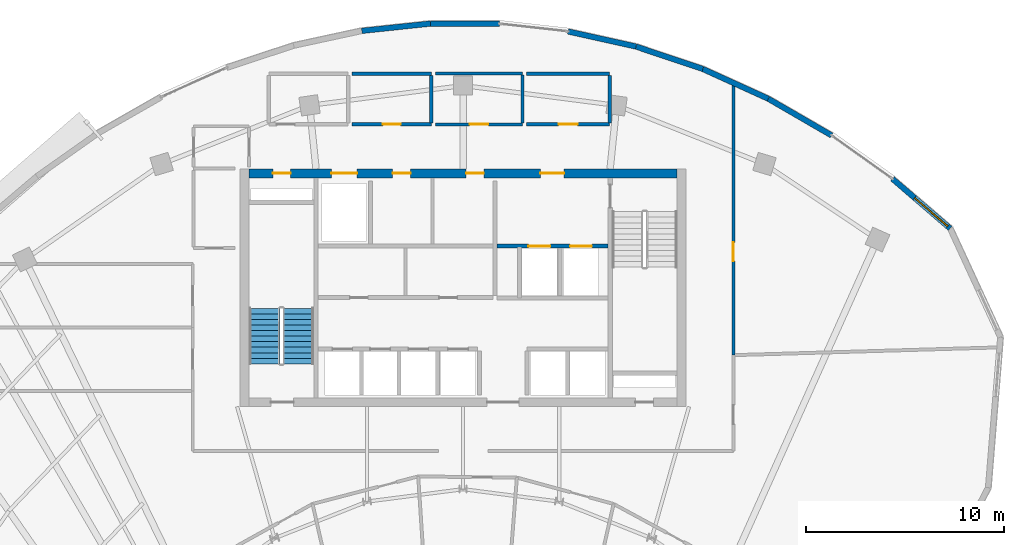
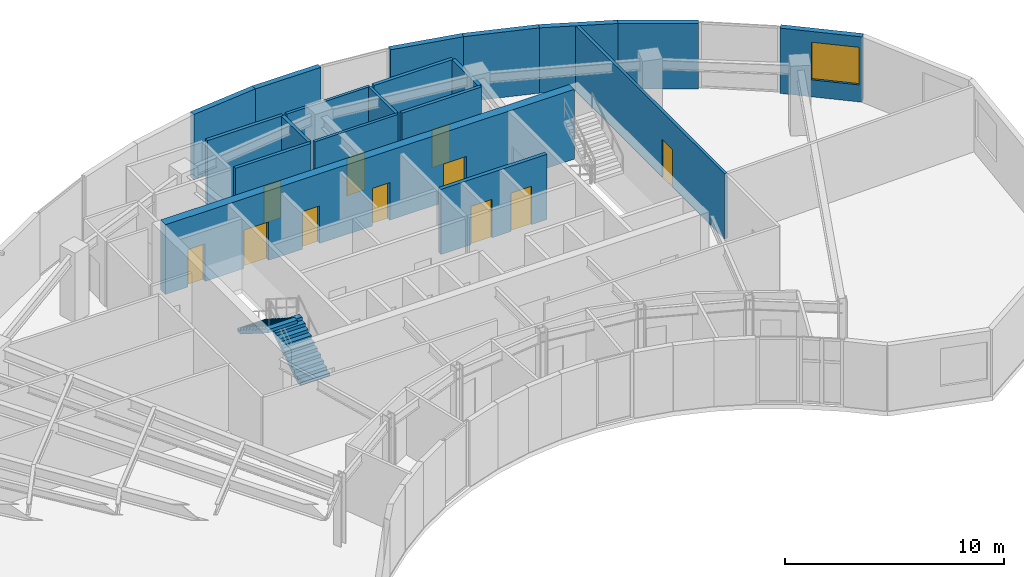
# One storey, part 10 of 12: 19 walls, 11 doors, 2 stair flights, 1 window, 12 openings, 1 element without a shape of its own.
"""IFC4 building model written with IfcOpenShell, lengths in metres."""

from ifc_helpers import new_model, si_unit, direction, frame, frame_2d, origin, place, context, subcontext, project, spatial, polyline, rectangle, outline, extrude, source, transform, mapped, material, layer, layer_set, type_object, type_shapes, element, fill, aggregate, save


model = new_model("IFC4")

# Units and contexts
model_context = context("Model", 3, precision=1e-05, world=origin(), true_north=direction((0.0, 1.0)))
body_context = subcontext(model_context, "Body", "Model", "MODEL_VIEW")
ifc_project = project(units=[si_unit("LENGTHUNIT", "METRE"), si_unit("AREAUNIT", "SQUARE_METRE"), si_unit("VOLUMEUNIT", "CUBIC_METRE"), si_unit("PLANEANGLEUNIT", "RADIAN"), si_unit("MASSUNIT", "GRAM", prefix="KILO")], contexts=[model_context])

# Site, building, storey
site_placement = place(None, origin())
site = spatial("IfcSite", under=ifc_project, at=site_placement, CompositionType="ELEMENT")
building_placement = place(site_placement, origin())
building = spatial("IfcBuilding", under=site, at=building_placement, Name="Breltana Convention Tower", CompositionType="ELEMENT")
storey_placement = place(building_placement, frame((0.0, 0.0, 235.199951171875)))
storey = spatial("IfcBuildingStorey", under=building, at=storey_placement, Name="L57", CompositionType="ELEMENT", Elevation=235.199951171875)

# Wall, openings, doors
ifc_material_1 = material(Name="Concrete C60/75", Category="concrete")
ifc_layer_1 = layer(ifc_material_1, 0.449951171875, Name="Concrete C60/75")
ifc_layer_set_1 = layer_set([ifc_layer_1], Name="Concrete C60/75")
wall_type_1 = type_object("IfcWallType", Name="SW-CORE-450", PredefinedType="SHEAR", material=ifc_layer_set_1)
shared_shape_1 = source(origin(), body_context, "Body", "SweptSolid", [
    extrude(rectangle(XDim=21.60009765625, YDim=0.449951171875, at=frame_2d((10.800048828125, 0.0))), origin(), (0.0, 0.0, 1.0), 3.900146484375),
])
wall_1_placement = place(storey_placement, frame((37.199951171875, 71.97509765625, 0.0), z_axis=(0.0, 0.0, 1.0), x_axis=(1.0, 0.0, 0.0)))
wall_1 = element("IfcWall", 1, at=wall_1_placement, inside=storey, type_object=wall_type_1, Name="L57 North Core Shear Wall", PredefinedType="SHEAR", context=body_context, shape_type="MappedRepresentation", body=[
    mapped(shared_shape_1, transform((0.0, 0.0, 0.0), scale=1.0)),
])
opening_1_placement = place(wall_1_placement, frame((1.199951171875, 0.0, 0.0)))
opening_1 = element("IfcOpeningElement", 2, at=opening_1_placement, cuts=wall_1, Name="Opening D-18", PredefinedType="OPENING", context=body_context, shape_type="SweptSolid", body=[
    extrude(rectangle(XDim=0.89990234375, YDim=2.10009765625, at=frame_2d((0.449951171875, 1.050048828125))), frame((0.0, 0.23486328125, 0.0), z_axis=(0.0, -1.0, 0.0), x_axis=(1.0, 0.0, 0.0)), (0.0, 0.0, 1.0), 0.469970703125),
])
opening_2_placement = place(wall_1_placement, frame((14.699951171875, 0.0, 0.0)))
opening_2 = element("IfcOpeningElement", 3, at=opening_2_placement, cuts=wall_1, Name="Opening D-09", PredefinedType="OPENING", context=body_context, shape_type="SweptSolid", body=[
    extrude(rectangle(XDim=1.199951171875, YDim=2.14990234375, at=frame_2d((0.60009765625, 1.074951171875))), frame((0.0, 0.23486328125, 0.0), z_axis=(0.0, -1.0, 0.0), x_axis=(1.0, 0.0, 0.0)), (0.0, 0.0, 1.0), 0.469970703125),
])
opening_3_placement = place(wall_1_placement, frame((4.14990234375, 0.0, 0.0)))
opening_3 = element("IfcOpeningElement", 4, at=opening_3_placement, cuts=wall_1, Name="Opening LD-01", PredefinedType="OPENING", context=body_context, shape_type="SweptSolid", body=[
    extrude(rectangle(XDim=1.300048828125, YDim=2.14990234375, at=frame_2d((0.64990234375, 1.074951171875))), frame((0.0, 0.23486328125, 0.0), z_axis=(0.0, -1.0, 0.0), x_axis=(1.0, 0.0, 0.0)), (0.0, 0.0, 1.0), 0.469970703125),
])
opening_4_placement = place(wall_1_placement, frame((7.25, 0.0, 0.0)))
opening_4 = element("IfcOpeningElement", 5, at=opening_4_placement, cuts=wall_1, Name="Opening D-18", PredefinedType="OPENING", context=body_context, shape_type="SweptSolid", body=[
    extrude(rectangle(XDim=0.89990234375, YDim=2.10009765625, at=frame_2d((0.449951171875, 1.050048828125))), frame((0.0, 0.23486328125, 0.0), z_axis=(0.0, -1.0, 0.0), x_axis=(1.0, 0.0, 0.0)), (0.0, 0.0, 1.0), 0.469970703125),
])
opening_5_placement = place(wall_1_placement, frame((10.949951171875, 0.0, 0.0)))
opening_5 = element("IfcOpeningElement", 6, at=opening_5_placement, cuts=wall_1, Name="Opening D-18", PredefinedType="OPENING", context=body_context, shape_type="SweptSolid", body=[
    extrude(rectangle(XDim=0.89990234375, YDim=2.10009765625, at=frame_2d((0.449951171875, 1.050048828125))), frame((0.0, 0.23486328125, 0.0), z_axis=(0.0, -1.0, 0.0), x_axis=(1.0, 0.0, 0.0)), (0.0, 0.0, 1.0), 0.469970703125),
])
ifc_material_2 = material(Name="Steel Riser Fire Door", Category="steel")
door_type_1 = type_object("IfcDoorType", Name="DR-FD60-900", OperationType="NOTDEFINED", PredefinedType="DOOR", material=ifc_material_2)
shared_shape_2 = source(origin(), body_context, "Body", "SweptSolid", [
    extrude(rectangle(XDim=0.89990234375, YDim=2.10009765625, at=frame_2d((0.449951171875, 1.050048828125))), frame((0.0, 0.02490234375, 0.0), z_axis=(0.0, -1.0, 0.0), x_axis=(1.0, 0.0, 0.0)), (0.0, 0.0, 1.0), 0.050048828125),
])
type_shapes(door_type_1, [shared_shape_2])
door_1_placement = place(opening_1_placement, origin())
door_1 = element("IfcDoor", 7, at=door_1_placement, inside=storey, type_object=door_type_1, Name="L57 Core Riser Access Door D-L57-RS1", OperationType="SINGLE_SWING_LEFT", OverallHeight=2.10009765625, OverallWidth=0.89990234375, PredefinedType="DOOR", context=body_context, shape_type="MappedRepresentation", body=[
    mapped(shared_shape_2, transform((0.0, 0.0, 0.0), scale=1.0)),
])
fill(opening_1, door_1)
door_2_placement = place(opening_4_placement, origin())
door_2 = element("IfcDoor", 8, at=door_2_placement, inside=storey, type_object=door_type_1, Name="L57 interior door D-L57-CRA1", OperationType="SINGLE_SWING_LEFT", OverallHeight=2.10009765625, OverallWidth=0.89990234375, PredefinedType="DOOR", context=body_context, shape_type="MappedRepresentation", body=[
    mapped(shared_shape_2, transform((0.0, 0.0, 0.0), scale=1.0)),
])
fill(opening_4, door_2)
door_3_placement = place(opening_5_placement, origin())
door_3 = element("IfcDoor", 9, at=door_3_placement, inside=storey, type_object=door_type_1, Name="L57 interior door D-L57-CRA2", OperationType="SINGLE_SWING_RIGHT", OverallHeight=2.10009765625, OverallWidth=0.89990234375, PredefinedType="DOOR", context=body_context, shape_type="MappedRepresentation", body=[
    mapped(shared_shape_2, transform((0.0, 0.0, 0.0), scale=1.0)),
])
fill(opening_5, door_3)
ifc_material_3 = material(Name="Steel Fire Lobby Door", Category="steel")
door_type_2 = type_object("IfcDoorType", Name="DR-FD120-1200", OperationType="NOTDEFINED", PredefinedType="DOOR", material=ifc_material_3)
shared_shape_3 = source(origin(), body_context, "Body", "SweptSolid", [
    extrude(rectangle(XDim=1.199951171875, YDim=2.14990234375, at=frame_2d((0.60009765625, 1.074951171875))), frame((0.0, 0.02490234375, 0.0), z_axis=(0.0, -1.0, 0.0), x_axis=(1.0, 0.0, 0.0)), (0.0, 0.0, 1.0), 0.050048828125),
])
type_shapes(door_type_2, [shared_shape_3])
door_4_placement = place(opening_2_placement, origin())
door_4 = element("IfcDoor", 10, at=door_4_placement, inside=storey, type_object=door_type_2, Name="L57 interior door D-L57-FFL-N", OperationType="SINGLE_SWING_RIGHT", OverallHeight=2.14990234375, OverallWidth=1.199951171875, PredefinedType="DOOR", context=body_context, shape_type="MappedRepresentation", body=[
    mapped(shared_shape_3, transform((0.0, 0.0, 0.0), scale=1.0)),
])
fill(opening_2, door_4)
ifc_material_4 = material(Name="Stainless Steel Brushed", Category="steel")
door_type_3 = type_object("IfcDoorType", Name="DR-LD-SRV-1300", OperationType="DOUBLE_DOOR_SLIDING", PredefinedType="DOOR", material=ifc_material_4)
shared_shape_4 = source(origin(), body_context, "Body", "SweptSolid", [
    extrude(rectangle(XDim=1.300048828125, YDim=2.14990234375, at=frame_2d((0.64990234375, 1.074951171875))), frame((0.0, 0.02490234375, 0.0), z_axis=(0.0, -1.0, 0.0), x_axis=(1.0, 0.0, 0.0)), (0.0, 0.0, 1.0), 0.050048828125),
])
type_shapes(door_type_3, [shared_shape_4])
door_5_placement = place(opening_3_placement, origin())
door_5 = element("IfcDoor", 11, at=door_5_placement, inside=storey, type_object=door_type_3, Name="L57 Lift Landing Door D-L57-LD-SV1", OperationType="DOUBLE_DOOR_SLIDING", OverallHeight=2.14990234375, OverallWidth=1.300048828125, PredefinedType="DOOR", context=body_context, shape_type="MappedRepresentation", body=[
    mapped(shared_shape_4, transform((0.0, 0.0, 0.0), scale=1.0)),
])
fill(opening_3, door_5)

# Walls
ifc_material_5 = material(Name="Limestone Buff Insulated Wall", Category="masonry")
ifc_layer_2 = layer(ifc_material_5, 0.280029296875, Name="Limestone Buff Insulated Wall")
ifc_layer_set_2 = layer_set([ifc_layer_2], Name="Limestone Buff Insulated Wall")
wall_type_2 = type_object("IfcWallType", Name="WL-EXT-NOSE-280", PredefinedType="SOLIDWALL", material=ifc_layer_set_2)
shared_shape_5 = source(origin(), body_context, "Body", "SweptSolid", [
    extrude(rectangle(XDim=3.486328125, YDim=0.280029296875, at=frame_2d((1.7431640625, 0.0))), origin(), (0.0, 0.0, 1.0), 3.650146484375),
])
wall_2_placement = place(storey_placement, frame((42.887939453125, 79.163818359375, 0.0), z_axis=(0.0, 0.0, 1.0), x_axis=(0.994423029828, 0.105464864994, 0.0)))
element("IfcWall", 12, at=wall_2_placement, inside=storey, type_object=wall_type_2, Name="L57 curved limestone nose wall E27", PredefinedType="SOLIDWALL", context=body_context, shape_type="MappedRepresentation", body=[
    mapped(shared_shape_5, transform((0.0, 0.0, 0.0), scale=1.0)),
])
shared_shape_6 = source(origin(), body_context, "Body", "SweptSolid", [
    extrude(rectangle(XDim=3.477294921875, YDim=0.280029296875, at=frame_2d((1.73876953125, 0.0))), origin(), (0.0, 0.0, 1.0), 3.650146484375),
])
wall_3_placement = place(storey_placement, frame((46.354736328125, 79.531494140625, 0.0), z_axis=(0.0, 0.0, 1.0), x_axis=(0.999995652268, -0.002948804142, 0.0)))
element("IfcWall", 13, at=wall_3_placement, inside=storey, type_object=wall_type_2, Name="L57 curved limestone nose wall E28", PredefinedType="SOLIDWALL", context=body_context, shape_type="MappedRepresentation", body=[
    mapped(shared_shape_6, transform((0.0, 0.0, 0.0), scale=1.0)),
])
shared_shape_7 = source(origin(), body_context, "Body", "SweptSolid", [
    extrude(rectangle(XDim=3.514892578125, YDim=0.280029296875, at=frame_2d((1.75732421875, 0.0))), origin(), (0.0, 0.0, 1.0), 3.650146484375),
])
wall_4_placement = place(storey_placement, frame((53.297607421875, 79.13330078125, 0.0), z_axis=(0.0, 0.0, 1.0), x_axis=(0.976144550296, -0.217121663884, 0.0)))
element("IfcWall", 14, at=wall_4_placement, inside=storey, type_object=wall_type_2, Name="L57 curved limestone nose wall E29", PredefinedType="SOLIDWALL", context=body_context, shape_type="MappedRepresentation", body=[
    mapped(shared_shape_7, transform((0.0, 0.0, 0.0), scale=1.0)),
])
shared_shape_8 = source(origin(), body_context, "Body", "SweptSolid", [
    extrude(rectangle(XDim=3.559326171875, YDim=0.280029296875, at=frame_2d((1.77978515625, 0.0))), origin(), (0.0, 0.0, 1.0), 3.650146484375),
])
wall_5_placement = place(storey_placement, frame((56.728759765625, 78.3701171875, 0.0), z_axis=(0.0, 0.0, 1.0), x_axis=(0.947933000453, -0.31846982063, 0.0)))
element("IfcWall", 15, at=wall_5_placement, inside=storey, type_object=wall_type_2, Name="L57 curved limestone nose wall E30", PredefinedType="SOLIDWALL", context=body_context, shape_type="MappedRepresentation", body=[
    mapped(shared_shape_8, transform((0.0, 0.0, 0.0), scale=1.0)),
])
shared_shape_9 = source(origin(), body_context, "Body", "SweptSolid", [
    extrude(rectangle(XDim=3.619384765625, YDim=0.280029296875, at=frame_2d((1.8095703125, 0.0))), origin(), (0.0, 0.0, 1.0), 3.650146484375),
])
wall_6_placement = place(storey_placement, frame((60.102783203125, 77.236572265625, 0.0), z_axis=(0.0, 0.0, 1.0), x_axis=(0.910479634963, -0.413553907391, 0.0)))
element("IfcWall", 16, at=wall_6_placement, inside=storey, type_object=wall_type_2, Name="L57 curved limestone nose wall E31", PredefinedType="SOLIDWALL", context=body_context, shape_type="MappedRepresentation", body=[
    mapped(shared_shape_9, transform((0.0, 0.0, 0.0), scale=1.0)),
])
shared_shape_10 = source(origin(), body_context, "Body", "SweptSolid", [
    extrude(rectangle(XDim=3.69189453125, YDim=0.280029296875, at=frame_2d((1.845947265625, 0.0))), origin(), (0.0, 0.0, 1.0), 3.650146484375),
])
wall_7_placement = place(storey_placement, frame((63.398193359375, 75.73974609375, 0.0), z_axis=(0.0, 0.0, 1.0), x_axis=(0.86534327136, -0.501179631181, 0.0)))
element("IfcWall", 17, at=wall_7_placement, inside=storey, type_object=wall_type_2, Name="L57 curved limestone nose wall E32", PredefinedType="SOLIDWALL", context=body_context, shape_type="MappedRepresentation", body=[
    mapped(shared_shape_10, transform((0.0, 0.0, 0.0), scale=1.0)),
])

# Wall, opening, window
shared_shape_11 = source(origin(), body_context, "Body", "SweptSolid", [
    extrude(rectangle(XDim=3.833984375, YDim=0.280029296875, at=frame_2d((1.9169921875, 0.0))), origin(), (0.0, 0.0, 1.0), 3.650146484375),
])
wall_8_placement = place(storey_placement, frame((69.66650390625, 71.697265625, 0.0), z_axis=(0.0, 0.0, 1.0), x_axis=(0.75839292431, -0.651797646787, 0.0)))
wall_8 = element("IfcWall", 18, at=wall_8_placement, inside=storey, type_object=wall_type_2, Name="L57 curved limestone nose wall E33", PredefinedType="SOLIDWALL", context=body_context, shape_type="MappedRepresentation", body=[
    mapped(shared_shape_11, transform((0.0, 0.0, 0.0), scale=1.0)),
])
opening_6_placement = place(wall_8_placement, frame((1.473876953125, 0.0, 0.949951171875)))
opening_6 = element("IfcOpeningElement", 19, at=opening_6_placement, cuts=wall_8, Name="Opening W-03", PredefinedType="OPENING", context=body_context, shape_type="SweptSolid", body=[
    extrude(rectangle(XDim=2.199951171875, YDim=2.10009765625, at=frame_2d((1.10009765625, 1.050048828125))), frame((0.0, 0.14990234375, 0.0), z_axis=(0.0, -1.0, 0.0), x_axis=(1.0, 0.0, 0.0)), (0.0, 0.0, 1.0), 0.300048828125),
])
ifc_material_6 = material(Name="Glass Low-E Insulated Window", Category="glass")
window_type = type_object("IfcWindowType", Name="WN-NOSE-2200X2100", PartitioningType="TRIPLE_PANEL_VERTICAL", PredefinedType="WINDOW", material=ifc_material_6)
shared_shape_12 = source(origin(), body_context, "Body", "SweptSolid", [
    extrude(rectangle(XDim=2.199951171875, YDim=2.10009765625, at=frame_2d((1.10009765625, 1.050048828125))), frame((0.0, 0.030029296875, 0.0), z_axis=(0.0, -1.0, 0.0), x_axis=(1.0, 0.0, 0.0)), (0.0, 0.0, 1.0), 0.06005859375),
])
type_shapes(window_type, [shared_shape_12])
window_placement = place(opening_6_placement, origin())
window = element("IfcWindow", 20, at=window_placement, inside=storey, type_object=window_type, Name="L57 nose window E33", OverallHeight=2.10009765625, OverallWidth=2.199951171875, PartitioningType="TRIPLE_PANEL_VERTICAL", PredefinedType="WINDOW", context=body_context, shape_type="MappedRepresentation", body=[
    mapped(shared_shape_12, transform((0.0, 0.0, 0.0), scale=1.0)),
])
fill(opening_6, window)

# Wall, openings, doors
ifc_material_7 = material(Name="Autoclaved Aerated Concrete Block", Category="concrete")
ifc_layer_3 = layer(ifc_material_7, 0.199951171875, Name="Autoclaved Aerated Concrete Block")
ifc_layer_set_3 = layer_set([ifc_layer_3], Name="Autoclaved Aerated Concrete Block")
wall_type_3 = type_object("IfcWallType", Name="WL-SHAFT-200", PredefinedType="SOLIDWALL", material=ifc_layer_set_3)
shared_shape_13 = source(origin(), body_context, "Body", "SweptSolid", [
    extrude(rectangle(XDim=5.6201171875, YDim=0.199951171875, at=frame_2d((2.81005859375, 0.0))), origin(), (0.0, 0.0, 1.0), 3.650146484375),
])
wall_9_placement = place(storey_placement, frame((49.699951171875, 68.300048828125, 0.0), z_axis=(0.0, 0.0, 1.0), x_axis=(1.0, 0.0, 0.0)))
wall_9 = element("IfcWall", 21, at=wall_9_placement, inside=storey, type_object=wall_type_3, Name="L57 interior partition W-L57-FFL-S", PredefinedType="SOLIDWALL", context=body_context, shape_type="MappedRepresentation", body=[
    mapped(shared_shape_13, transform((0.0, 0.0, 0.0), scale=1.0)),
])
opening_7_placement = place(wall_9_placement, frame((1.60009765625, 0.0, 0.0)))
opening_7 = element("IfcOpeningElement", 22, at=opening_7_placement, cuts=wall_9, Name="Opening LD-03", PredefinedType="OPENING", context=body_context, shape_type="SweptSolid", body=[
    extrude(rectangle(XDim=1.10009765625, YDim=2.14990234375, at=frame_2d((0.550048828125, 1.074951171875))), frame((0.0, 0.10986328125, 0.0), z_axis=(0.0, -1.0, 0.0), x_axis=(1.0, 0.0, 0.0)), (0.0, 0.0, 1.0), 0.219970703125),
])
opening_8_placement = place(wall_9_placement, frame((3.699951171875, 0.0, 0.0)))
opening_8 = element("IfcOpeningElement", 23, at=opening_8_placement, cuts=wall_9, Name="Opening LD-03", PredefinedType="OPENING", context=body_context, shape_type="SweptSolid", body=[
    extrude(rectangle(XDim=1.10009765625, YDim=2.14990234375, at=frame_2d((0.550048828125, 1.074951171875))), frame((0.0, 0.10986328125, 0.0), z_axis=(0.0, -1.0, 0.0), x_axis=(1.0, 0.0, 0.0)), (0.0, 0.0, 1.0), 0.219970703125),
])
door_type_4 = type_object("IfcDoorType", Name="DR-LD-FF-1100", OperationType="DOUBLE_DOOR_SLIDING", PredefinedType="DOOR", material=ifc_material_4)
shared_shape_14 = source(origin(), body_context, "Body", "SweptSolid", [
    extrude(rectangle(XDim=1.10009765625, YDim=2.14990234375, at=frame_2d((0.550048828125, 1.074951171875))), frame((0.0, 0.02490234375, 0.0), z_axis=(0.0, -1.0, 0.0), x_axis=(1.0, 0.0, 0.0)), (0.0, 0.0, 1.0), 0.050048828125),
])
type_shapes(door_type_4, [shared_shape_14])
door_6_placement = place(opening_7_placement, origin())
door_6 = element("IfcDoor", 24, at=door_6_placement, inside=storey, type_object=door_type_4, Name="L57 Lift Landing Door D-L57-LD-FL1", OperationType="DOUBLE_DOOR_SLIDING", OverallHeight=2.14990234375, OverallWidth=1.10009765625, PredefinedType="DOOR", context=body_context, shape_type="MappedRepresentation", body=[
    mapped(shared_shape_14, transform((0.0, 0.0, 0.0), scale=1.0)),
])
fill(opening_7, door_6)
door_7_placement = place(opening_8_placement, origin())
door_7 = element("IfcDoor", 25, at=door_7_placement, inside=storey, type_object=door_type_4, Name="L57 Lift Landing Door D-L57-LD-FL2", OperationType="DOUBLE_DOOR_SLIDING", OverallHeight=2.14990234375, OverallWidth=1.10009765625, PredefinedType="DOOR", context=body_context, shape_type="MappedRepresentation", body=[
    mapped(shared_shape_14, transform((0.0, 0.0, 0.0), scale=1.0)),
])
fill(opening_8, door_7)

# Wall, opening, door
ifc_material_8 = material(Name="Cement Board Wet-Area Partition")
ifc_layer_4 = layer(ifc_material_8, 0.175048828125, Name="Cement Board Wet-Area Partition")
ifc_layer_set_4 = layer_set([ifc_layer_4], Name="Cement Board Wet-Area Partition")
wall_type_4 = type_object("IfcWallType", Name="WL-WET-175", PredefinedType="PARTITIONING", material=ifc_layer_set_4)
shared_shape_15 = source(origin(), body_context, "Body", "SweptSolid", [
    extrude(rectangle(XDim=4.0, YDim=0.175048828125, at=frame_2d((2.0, 0.0))), origin(), (0.0, 0.0, 1.0), 3.650146484375),
])
wall_10_placement = place(storey_placement, frame((42.39990234375, 74.43994140625, 0.0), z_axis=(0.0, 0.0, 1.0), x_axis=(1.0, 0.0, 0.0)))
wall_10 = element("IfcWall", 26, at=wall_10_placement, inside=storey, type_object=wall_type_4, Name="L57 interior partition W-L57-WCF-S", PredefinedType="PARTITIONING", context=body_context, shape_type="MappedRepresentation", body=[
    mapped(shared_shape_15, transform((0.0, 0.0, 0.0), scale=1.0)),
])
opening_9_placement = place(wall_10_placement, frame((1.550048828125, 0.0, 0.0)))
opening_9 = element("IfcOpeningElement", 27, at=opening_9_placement, cuts=wall_10, Name="Opening D-19", PredefinedType="OPENING", context=body_context, shape_type="SweptSolid", body=[
    extrude(rectangle(XDim=0.89990234375, YDim=2.080078125, at=frame_2d((0.449951171875, 1.0400390625))), frame((0.0, 0.09765625, 0.0), z_axis=(0.0, -1.0, 0.0), x_axis=(1.0, 0.0, 0.0)), (0.0, 0.0, 1.0), 0.195068359375),
])
ifc_material_9 = material(Name="Timber Moisture-Resistant Door", Category="wood")
door_type_5 = type_object("IfcDoorType", Name="DR-WC-900", OperationType="NOTDEFINED", PredefinedType="DOOR", material=ifc_material_9)
shared_shape_16 = source(origin(), body_context, "Body", "SweptSolid", [
    extrude(rectangle(XDim=0.89990234375, YDim=2.080078125, at=frame_2d((0.449951171875, 1.0400390625))), frame((0.0, 0.02490234375, 0.0), z_axis=(0.0, -1.0, 0.0), x_axis=(1.0, 0.0, 0.0)), (0.0, 0.0, 1.0), 0.050048828125),
])
type_shapes(door_type_5, [shared_shape_16])
door_8_placement = place(opening_9_placement, origin())
door_8 = element("IfcDoor", 28, at=door_8_placement, inside=storey, type_object=door_type_5, Name="L57 interior door D-L57-WCF", OperationType="SINGLE_SWING_RIGHT", OverallHeight=2.080078125, OverallWidth=0.89990234375, PredefinedType="DOOR", context=body_context, shape_type="MappedRepresentation", body=[
    mapped(shared_shape_16, transform((0.0, 0.0, 0.0), scale=1.0)),
])
fill(opening_9, door_8)

# Walls
ifc_material_10 = material(Name="Moisture-Resistant Gypsum Chase Wall")
ifc_layer_5 = layer(ifc_material_10, 0.179931640625, Name="Moisture-Resistant Gypsum Chase Wall")
ifc_layer_set_5 = layer_set([ifc_layer_5], Name="Moisture-Resistant Gypsum Chase Wall")
wall_type_5 = type_object("IfcWallType", Name="WL-PLUMB-180", PredefinedType="PLUMBINGWALL", material=ifc_layer_set_5)
shared_shape_17 = source(origin(), body_context, "Body", "SweptSolid", [
    extrude(rectangle(XDim=4.0, YDim=0.179931640625, at=frame_2d((2.0, 0.0))), origin(), (0.0, 0.0, 1.0), 3.650146484375),
])
wall_11_placement = place(storey_placement, frame((42.39990234375, 77.0, 0.0), z_axis=(0.0, 0.0, 1.0), x_axis=(1.0, 0.0, 0.0)))
element("IfcWall", 29, at=wall_11_placement, inside=storey, type_object=wall_type_5, Name="L57 interior partition W-L57-WCF-N", PredefinedType="PLUMBINGWALL", context=body_context, shape_type="MappedRepresentation", body=[
    mapped(shared_shape_17, transform((0.0, 0.0, 0.0), scale=1.0)),
])
shared_shape_18 = source(origin(), body_context, "Body", "SweptSolid", [
    extrude(rectangle(XDim=2.402587890625, YDim=0.175048828125, at=frame_2d((1.201171875, 0.0))), origin(), (0.0, 0.0, 1.0), 3.650146484375),
])
for number, where, z_axis, x_axis, name in (
    (30, (46.39990234375, 74.518798828125, 0.0), (0.0, 0.0, 1.0), (0.0, 1.0, 0.0), "L57 interior partition W-L57-WCF-E"),
    (31, (55.39990234375, 74.518798828125, 0.0), (0.0, 0.0, 1.0), (0.0, 1.0, 0.0), "L57 interior partition W-L57-WCA-E"),
):
    element("IfcWall", number, at=place(storey_placement, frame(where, z_axis=z_axis, x_axis=x_axis)), inside=storey, type_object=wall_type_4, Name=name, PredefinedType="PARTITIONING", context=body_context, shape_type="MappedRepresentation", body=[
        mapped(shared_shape_18, transform((0.0, 0.0, 0.0), scale=1.0)),
    ])

# Wall, opening, door
ifc_material_11 = material(Name="Gypsum Acoustic Drywall Partition")
ifc_layer_6 = layer(ifc_material_11, 0.14990234375, Name="Gypsum Acoustic Drywall Partition")
ifc_layer_set_6 = layer_set([ifc_layer_6], Name="Gypsum Acoustic Drywall Partition")
wall_type_6 = type_object("IfcWallType", Name="WL-PART-150", PredefinedType="PARTITIONING", material=ifc_layer_set_6)
shared_shape_19 = source(origin(), body_context, "Body", "SweptSolid", [
    extrude(rectangle(XDim=4.39990234375, YDim=0.14990234375, at=frame_2d((2.199951171875, 0.0))), origin(), (0.0, 0.0, 1.0), 3.650146484375),
])
wall_12_placement = place(storey_placement, frame((46.60009765625, 74.43994140625, 0.0), z_axis=(0.0, 0.0, 1.0), x_axis=(1.0, 0.0, 0.0)))
wall_12 = element("IfcWall", 32, at=wall_12_placement, inside=storey, type_object=wall_type_6, Name="L57 interior partition W-L57-PNT-S", PredefinedType="PARTITIONING", context=body_context, shape_type="MappedRepresentation", body=[
    mapped(shared_shape_19, transform((0.0, 0.0, 0.0), scale=1.0)),
])
opening_10_placement = place(wall_12_placement, frame((1.72509765625, 0.0, 0.0)))
opening_10 = element("IfcOpeningElement", 33, at=opening_10_placement, cuts=wall_12, Name="Opening D-17", PredefinedType="OPENING", context=body_context, shape_type="SweptSolid", body=[
    extrude(rectangle(XDim=0.949951171875, YDim=2.10009765625, at=frame_2d((0.47509765625, 1.050048828125))), frame((0.0, 0.0849609375, 0.0), z_axis=(0.0, -1.0, 0.0), x_axis=(1.0, 0.0, 0.0)), (0.0, 0.0, 1.0), 0.169921875),
])
ifc_material_12 = material(Name="Timber Oak Veneer Door", Category="wood")
door_type_6 = type_object("IfcDoorType", Name="DR-INT-950", OperationType="NOTDEFINED", PredefinedType="DOOR", material=ifc_material_12)
shared_shape_20 = source(origin(), body_context, "Body", "SweptSolid", [
    extrude(rectangle(XDim=0.949951171875, YDim=2.10009765625, at=frame_2d((0.47509765625, 1.050048828125))), frame((0.0, 0.02490234375, 0.0), z_axis=(0.0, -1.0, 0.0), x_axis=(1.0, 0.0, 0.0)), (0.0, 0.0, 1.0), 0.050048828125),
])
type_shapes(door_type_6, [shared_shape_20])
door_9_placement = place(opening_10_placement, origin())
door_9 = element("IfcDoor", 34, at=door_9_placement, inside=storey, type_object=door_type_6, Name="L57 interior door D-L57-PNT", OperationType="SINGLE_SWING_LEFT", OverallHeight=2.10009765625, OverallWidth=0.949951171875, PredefinedType="DOOR", context=body_context, shape_type="MappedRepresentation", body=[
    mapped(shared_shape_20, transform((0.0, 0.0, 0.0), scale=1.0)),
])
fill(opening_10, door_9)

# Walls
wall_13_placement = place(storey_placement, frame((46.60009765625, 77.0, 0.0), z_axis=(0.0, 0.0, 1.0), x_axis=(1.0, 0.0, 0.0)))
element("IfcWall", 35, at=wall_13_placement, inside=storey, type_object=wall_type_6, Name="L57 interior partition W-L57-PNT-N", PredefinedType="PARTITIONING", context=body_context, shape_type="MappedRepresentation", body=[
    mapped(shared_shape_19, transform((0.0, 0.0, 0.0), scale=1.0)),
])
shared_shape_21 = source(origin(), body_context, "Body", "SweptSolid", [
    extrude(rectangle(XDim=2.425048828125, YDim=0.14990234375, at=frame_2d((1.21240234375, 0.0))), origin(), (0.0, 0.0, 1.0), 3.650146484375),
])
wall_14_placement = place(storey_placement, frame((51.0, 74.507568359375, 0.0), z_axis=(0.0, 0.0, 1.0), x_axis=(0.0, 1.0, 0.0)))
element("IfcWall", 36, at=wall_14_placement, inside=storey, type_object=wall_type_6, Name="L57 interior partition W-L57-PNT-E", PredefinedType="PARTITIONING", context=body_context, shape_type="MappedRepresentation", body=[
    mapped(shared_shape_21, transform((0.0, 0.0, 0.0), scale=1.0)),
])

# Wall, opening, door
shared_shape_22 = source(origin(), body_context, "Body", "SweptSolid", [
    extrude(rectangle(XDim=4.199951171875, YDim=0.175048828125, at=frame_2d((2.10009765625, 0.0))), origin(), (0.0, 0.0, 1.0), 3.650146484375),
])
wall_15_placement = place(storey_placement, frame((51.199951171875, 74.43994140625, 0.0), z_axis=(0.0, 0.0, 1.0), x_axis=(1.0, 0.0, 0.0)))
wall_15 = element("IfcWall", 37, at=wall_15_placement, inside=storey, type_object=wall_type_4, Name="L57 interior partition W-L57-WCA-S", PredefinedType="PARTITIONING", context=body_context, shape_type="MappedRepresentation", body=[
    mapped(shared_shape_22, transform((0.0, 0.0, 0.0), scale=1.0)),
])
opening_11_placement = place(wall_15_placement, frame((1.625, 0.0, 0.0)))
opening_11 = element("IfcOpeningElement", 38, at=opening_11_placement, cuts=wall_15, Name="Opening D-16", PredefinedType="OPENING", context=body_context, shape_type="SweptSolid", body=[
    extrude(rectangle(XDim=0.949951171875, YDim=2.1201171875, at=frame_2d((0.47509765625, 1.06005859375))), frame((0.0, 0.09765625, 0.0), z_axis=(0.0, -1.0, 0.0), x_axis=(1.0, 0.0, 0.0)), (0.0, 0.0, 1.0), 0.195068359375),
])
ifc_material_13 = material(Name="Timber Laminate Accessible Door", Category="wood")
door_type_7 = type_object("IfcDoorType", Name="DR-ACC-950", OperationType="NOTDEFINED", PredefinedType="DOOR", material=ifc_material_13)
shared_shape_23 = source(origin(), body_context, "Body", "SweptSolid", [
    extrude(rectangle(XDim=0.949951171875, YDim=2.1201171875, at=frame_2d((0.47509765625, 1.06005859375))), frame((0.0, 0.02490234375, 0.0), z_axis=(0.0, -1.0, 0.0), x_axis=(1.0, 0.0, 0.0)), (0.0, 0.0, 1.0), 0.050048828125),
])
type_shapes(door_type_7, [shared_shape_23])
door_10_placement = place(opening_11_placement, origin())
door_10 = element("IfcDoor", 39, at=door_10_placement, inside=storey, type_object=door_type_7, Name="L57 interior door D-L57-WCA", OperationType="SINGLE_SWING_RIGHT", OverallHeight=2.1201171875, OverallWidth=0.949951171875, PredefinedType="DOOR", context=body_context, shape_type="MappedRepresentation", body=[
    mapped(shared_shape_23, transform((0.0, 0.0, 0.0), scale=1.0)),
])
fill(opening_11, door_10)

# Wall
shared_shape_24 = source(origin(), body_context, "Body", "SweptSolid", [
    extrude(rectangle(XDim=4.199951171875, YDim=0.179931640625, at=frame_2d((2.10009765625, 0.0))), origin(), (0.0, 0.0, 1.0), 3.650146484375),
])
wall_16_placement = place(storey_placement, frame((51.199951171875, 77.0, 0.0), z_axis=(0.0, 0.0, 1.0), x_axis=(1.0, 0.0, 0.0)))
element("IfcWall", 40, at=wall_16_placement, inside=storey, type_object=wall_type_5, Name="L57 interior partition W-L57-WCA-N", PredefinedType="PLUMBINGWALL", context=body_context, shape_type="MappedRepresentation", body=[
    mapped(shared_shape_24, transform((0.0, 0.0, 0.0), scale=1.0)),
])

# Wall, opening, door
shared_shape_25 = source(origin(), body_context, "Body", "SweptSolid", [
    extrude(rectangle(XDim=13.727294921875, YDim=0.14990234375, at=frame_2d((6.86376953125, 0.0))), origin(), (0.0, 0.0, 1.0), 3.650146484375),
])
wall_17_placement = place(storey_placement, frame((61.639892578125, 62.800048828125, 0.0), z_axis=(0.0, 0.0, 1.0), x_axis=(0.0, 1.0, 0.0)))
wall_17 = element("IfcWall", 41, at=wall_17_placement, inside=storey, type_object=wall_type_6, Name="L57 interior partition W-L57-EXE2-ENT", PredefinedType="PARTITIONING", context=body_context, shape_type="MappedRepresentation", body=[
    mapped(shared_shape_25, transform((0.0, 0.0, 0.0), scale=1.0)),
])
opening_12_placement = place(wall_17_placement, frame((4.741455078125, 0.0, 0.0)))
opening_12 = element("IfcOpeningElement", 42, at=opening_12_placement, cuts=wall_17, Name="Opening D-17", PredefinedType="OPENING", context=body_context, shape_type="SweptSolid", body=[
    extrude(rectangle(XDim=0.949951171875, YDim=2.10009765625, at=frame_2d((0.47509765625, 1.050048828125))), frame((0.0, 0.0849609375, 0.0), z_axis=(0.0, -1.0, 0.0), x_axis=(1.0, 0.0, 0.0)), (0.0, 0.0, 1.0), 0.169921875),
])
door_11_placement = place(opening_12_placement, origin())
door_11 = element("IfcDoor", 43, at=door_11_placement, inside=storey, type_object=door_type_6, Name="L57 interior door D-L57-EXE2", OperationType="SINGLE_SWING_LEFT", OverallHeight=2.10009765625, OverallWidth=0.949951171875, PredefinedType="DOOR", context=body_context, shape_type="MappedRepresentation", body=[
    mapped(shared_shape_20, transform((0.0, 0.0, 0.0), scale=1.0)),
])
fill(opening_12, door_11)

# Stair, stair flights
ifc_material_14 = material(Name="Concrete C40/50", Category="concrete")
stair_type = type_object("IfcStairType", Name="ST-DOG-1560-R177", PredefinedType="HALF_TURN_STAIR", material=ifc_material_14)
stair_placement = place(storey_placement, origin())
stair = element("IfcStair", 44, at=stair_placement, inside=storey, type_object=stair_type, Name="L57 Protected Core Exit Stair ST-1", PredefinedType="HALF_TURN_STAIR")
stair_flight_type = type_object("IfcStairFlightType", Name="STF-DOG-1560-N11-R177", PredefinedType="STRAIGHT", material=ifc_material_14)
stair_flight_1_placement = place(storey_placement, frame((39.68994140625, 62.360107421875, 0.0), z_axis=(0.0, 0.0, 1.0), x_axis=(0.0, 1.0, 0.0)))
stair_flight_1 = element("IfcStairFlight", 45, at=stair_flight_1_placement, type_object=stair_flight_type, Name="ST-1 flight 1", NumberOfRisers=11, NumberOfTreads=10, PredefinedType="STRAIGHT", RiserHeight=0.177272727, TreadLength=0.28, context=body_context, shape_type="SweptSolid", body=[
    extrude(outline(polyline([(0.0, 0.0), (0.0, 0.17724609375), (0.280029296875, 0.17724609375), (0.280029296875, 0.3544921875), (0.56005859375, 0.3544921875), (0.56005859375, 0.53173828125), (0.840087890625, 0.53173828125), (0.840087890625, 0.708984375), (1.1201171875, 0.708984375), (1.1201171875, 0.886474609375), (1.39990234375, 0.886474609375), (1.39990234375, 1.063720703125), (1.679931640625, 1.063720703125), (1.679931640625, 1.240966796875), (1.9599609375, 1.240966796875), (1.9599609375, 1.418212890625), (2.239990234375, 1.418212890625), (2.239990234375, 1.595458984375), (2.52001953125, 1.595458984375), (2.52001953125, 1.772705078125), (2.800048828125, 1.772705078125), (2.800048828125, 1.949951171875), (2.800048828125, 1.59521484375), (0.2802734375, 0.0), (0.0, 0.0)])), frame((0.0, 0.780029296875, 0.0), z_axis=(0.0, -1.0, 0.0), x_axis=(1.0, 0.0, 0.0)), (0.0, 0.0, 1.0), 1.56005859375),
])
stair_flight_2_placement = place(storey_placement, frame((37.97998046875, 65.159912109375, 1.949951171875), z_axis=(0.0, 0.0, 1.0), x_axis=(0.0, -1.0, 0.0)))
stair_flight_2 = element("IfcStairFlight", 46, at=stair_flight_2_placement, type_object=stair_flight_type, Name="ST-1 flight 2", NumberOfRisers=11, NumberOfTreads=10, PredefinedType="STRAIGHT", RiserHeight=0.177272727, TreadLength=0.28, context=body_context, shape_type="SweptSolid", body=[
    extrude(outline(polyline([(0.0, 0.0), (0.0, 0.17724609375), (0.280029296875, 0.17724609375), (0.280029296875, 0.3544921875), (0.56005859375, 0.3544921875), (0.56005859375, 0.53173828125), (0.840087890625, 0.53173828125), (0.840087890625, 0.708984375), (1.1201171875, 0.708984375), (1.1201171875, 0.886474609375), (1.39990234375, 0.886474609375), (1.39990234375, 1.063720703125), (1.679931640625, 1.063720703125), (1.679931640625, 1.240966796875), (1.9599609375, 1.240966796875), (1.9599609375, 1.418212890625), (2.239990234375, 1.418212890625), (2.239990234375, 1.595458984375), (2.52001953125, 1.595458984375), (2.52001953125, 1.772705078125), (2.800048828125, 1.772705078125), (2.800048828125, 1.949951171875), (2.800048828125, 1.59521484375), (0.2802734375, 0.0), (0.0, 0.0)])), frame((0.0, 0.780029296875, 0.0), z_axis=(0.0, -1.0, 0.0), x_axis=(1.0, 0.0, 0.0)), (0.0, 0.0, 1.0), 1.56005859375),
])
aggregate(stair, [stair_flight_1, stair_flight_2])

save(model, "model.ifc")
